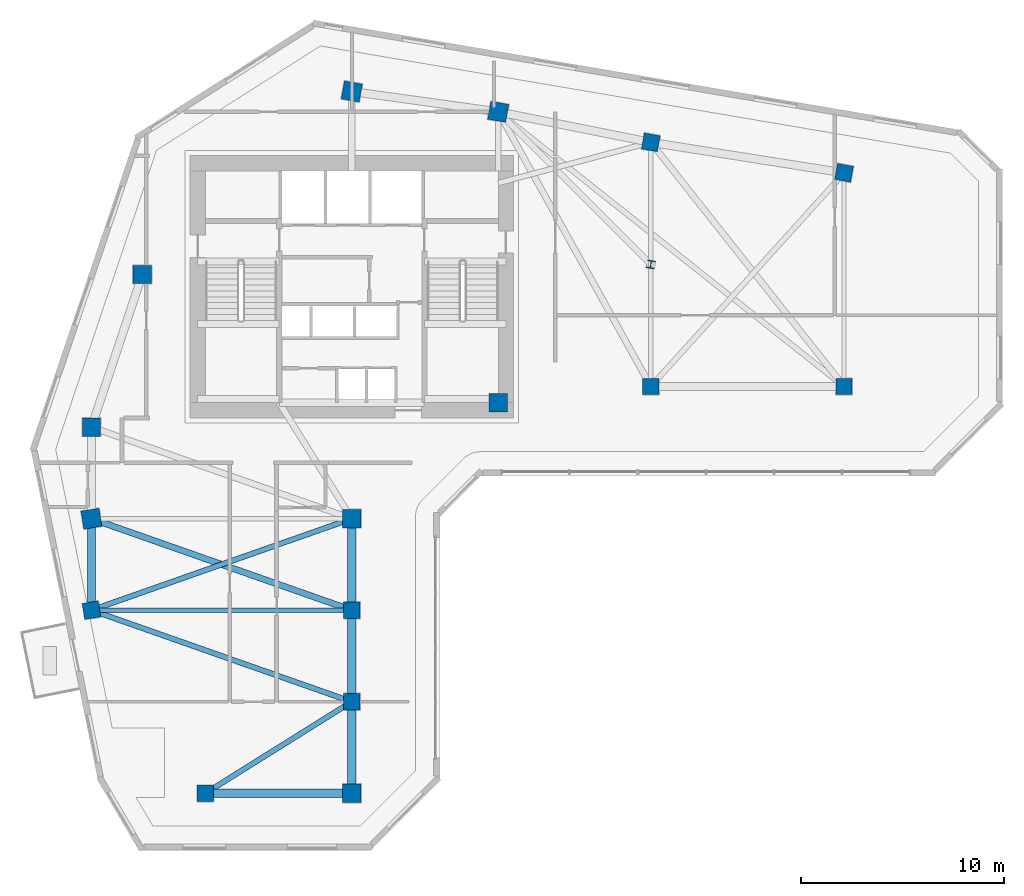
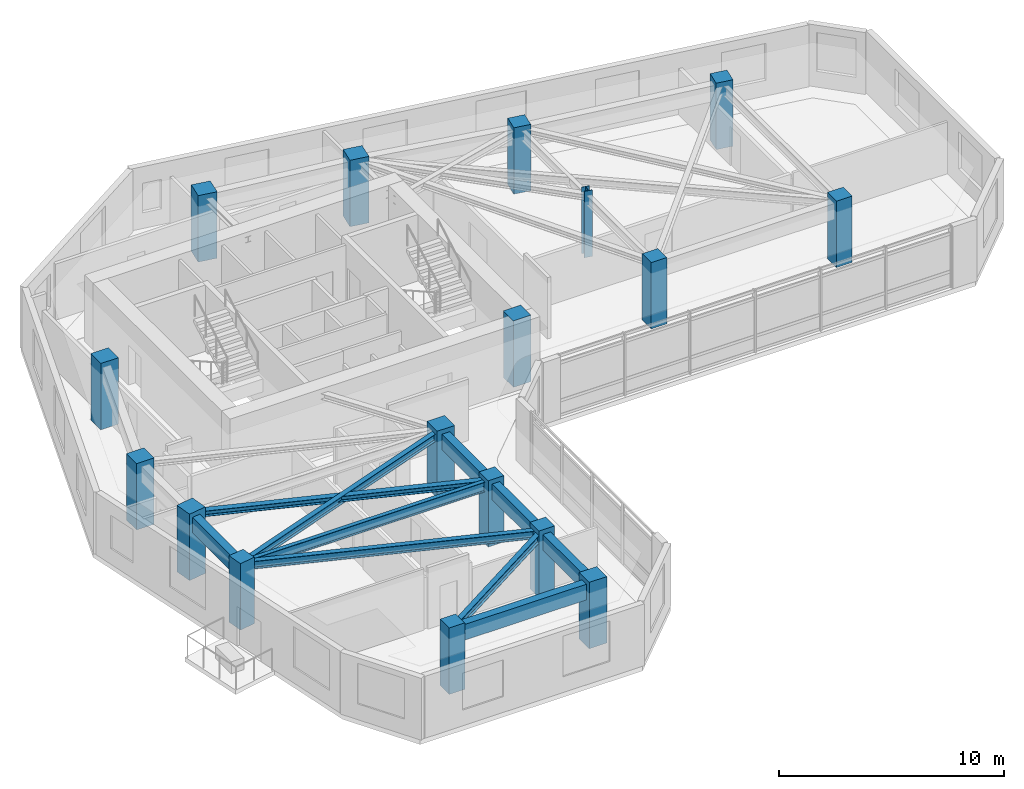
# One storey, part 1 of 10: 17 columns, 10 beams.
"""IFC4 building model written with IfcOpenShell, lengths in metres."""

from ifc_helpers import new_model, si_unit, direction, frame, origin, origin_2d, place, context, subcontext, project, spatial, rectangle, i_section, extrude, source, transform, mapped, material, material_profile, profile_set, type_object, element, save


model = new_model("IFC4")

# Units and contexts
model_context = context("Model", 3, precision=1e-05, world=origin(), true_north=direction((0.0, 1.0)))
body_context = subcontext(model_context, "Body", "Model", "MODEL_VIEW")
ifc_project = project(units=[si_unit("LENGTHUNIT", "METRE"), si_unit("AREAUNIT", "SQUARE_METRE"), si_unit("VOLUMEUNIT", "CUBIC_METRE"), si_unit("PLANEANGLEUNIT", "RADIAN"), si_unit("MASSUNIT", "GRAM", prefix="KILO")], contexts=[model_context])

# Site, building, storey
site_placement = place(None, origin())
site = spatial("IfcSite", under=ifc_project, at=site_placement, CompositionType="ELEMENT")
building_placement = place(site_placement, origin())
building = spatial("IfcBuilding", under=site, at=building_placement, Name="Calvemar Wedge Station Tower", CompositionType="ELEMENT")
storey_placement = place(building_placement, frame((0.0, 0.0, 164.60009765625)))
storey = spatial("IfcBuildingStorey", under=building, at=storey_placement, Name="L41", CompositionType="ELEMENT", Elevation=164.60009765625)

# Columns
ifc_material_1 = material(Name="Concrete C60", Category="concrete")
ifc_material_profile_1 = material_profile(ifc_material_1, rectangle(XDim=0.89990234375, YDim=0.89990234375, at=origin_2d()), Name="RC900x900")
ifc_profile_set_1 = profile_set([ifc_material_profile_1], Name="Concrete C60")
column_type_1 = type_object("IfcColumnType", Name="COL-C5-900", PredefinedType="COLUMN", material=ifc_profile_set_1)
shared_shape_1 = source(origin(), body_context, "Body", "SweptSolid", [
    extrude(rectangle(XDim=0.89990234375, YDim=0.89990234375, at=origin_2d()), origin(), (0.0, 0.0, 1.0), 3.599853515625),
])
for number, where, z_axis, x_axis, name in (
    (1, (11.0, 33.0, 0.0), (0.0, 0.0, 1.0), (1.0, 0.0, 0.0), "Storey L41 Column T-NW1"),
    (2, (13.5, 40.5, 0.0), (0.0, 0.0, 1.0), (1.0, 0.0, 0.0), "Storey L41 Column T-NW2"),
    (3, (23.800048828125, 49.5, 0.0), (0.0, 0.0, 1.0), (0.984195607969, -0.17708474032, 0.0), "Storey L41 Column T-N1"),
    (4, (31.0, 48.5, 0.0), (0.0, 0.0, 1.0), (0.984195607969, -0.17708474032, 0.0), "Storey L41 Column T-N2"),
    (5, (31.0, 34.199951171875, 0.0), (0.0, 0.0, 1.0), (1.0, 0.0, 0.0), "Storey L41 Column T-NL1"),
    (6, (11.0, 28.5, 0.0), (0.0, 0.0, 1.0), (0.158158067254, -0.987413806751, 0.0), "Storey L41 Column T-SW1"),
    (7, (23.800048828125, 28.5, 0.0), (0.0, 0.0, 1.0), (1.0, 0.0, 0.0), "Storey L41 Column T-SE1"),
    (8, (23.800048828125, 15.0, 0.0), (0.0, 0.0, 1.0), (1.0, 0.0, 0.0), "Storey L41 Column T-SE4"),
):
    element("IfcColumn", number, at=place(storey_placement, frame(where, z_axis=z_axis, x_axis=x_axis)), inside=storey, type_object=column_type_1, Name=name, PredefinedType="COLUMN", context=body_context, shape_type="MappedRepresentation", body=[
        mapped(shared_shape_1, transform((0.0, 0.0, 0.0), scale=1.0)),
    ])
ifc_material_2 = material(Name="Concrete C50", Category="concrete")
ifc_material_profile_2 = material_profile(ifc_material_2, rectangle(XDim=0.800048828125, YDim=0.800048828125, at=origin_2d()), Name="RC800x800")
ifc_profile_set_2 = profile_set([ifc_material_profile_2], Name="Concrete C50")
column_type_2 = type_object("IfcColumnType", Name="COL-C6-800", PredefinedType="COLUMN", material=ifc_profile_set_2)
shared_shape_2 = source(origin(), body_context, "Body", "SweptSolid", [
    extrude(rectangle(XDim=0.800048828125, YDim=0.800048828125, at=origin_2d()), origin(), (0.0, 0.0, 1.0), 3.599853515625),
])
for number, where, z_axis, x_axis, name in (
    (9, (38.5, 47.0, 0.0), (0.0, 0.0, 1.0), (0.984195607969, -0.17708474032, 0.0), "Storey L41 Column T-NU3"),
    (10, (48.0, 45.5, 0.0), (0.0, 0.0, 1.0), (0.984195607969, -0.17708474032, 0.0), "Storey L41 Column T-NU4"),
    (11, (38.5, 35.0, 0.0), (0.0, 0.0, 1.0), (1.0, 0.0, 0.0), "Storey L41 Column T-NL2"),
    (12, (48.0, 35.0, 0.0), (0.0, 0.0, 1.0), (1.0, 0.0, 0.0), "Storey L41 Column T-NL3"),
    (13, (11.0, 24.0, 0.0), (0.0, 0.0, 1.0), (0.158158067254, -0.987413806751, 0.0), "Storey L41 Column T-SW2"),
    (14, (23.800048828125, 24.0, 0.0), (0.0, 0.0, 1.0), (1.0, 0.0, 0.0), "Storey L41 Column T-SE2"),
    (15, (23.800048828125, 19.5, 0.0), (0.0, 0.0, 1.0), (1.0, 0.0, 0.0), "Storey L41 Column T-SE3"),
    (16, (16.60009765625, 15.0, 0.0), (0.0, 0.0, 1.0), (1.0, 0.0, 0.0), "Storey L41 Column T-SM1"),
):
    element("IfcColumn", number, at=place(storey_placement, frame(where, z_axis=z_axis, x_axis=x_axis)), inside=storey, type_object=column_type_2, Name=name, PredefinedType="COLUMN", context=body_context, shape_type="MappedRepresentation", body=[
        mapped(shared_shape_2, transform((0.0, 0.0, 0.0), scale=1.0)),
    ])
ifc_material_3 = material(Name="Structural steel ASTM A572 Grade 50", Category="steel")
ifc_material_profile_3 = material_profile(ifc_material_3, i_section(OverallWidth=0.3740234375, OverallDepth=0.3720703125, WebThickness=0.016357421875, FlangeThickness=0.026123046875, FilletRadius=0.014892578125, at=origin_2d()), Name="W360x196")
ifc_profile_set_3 = profile_set([ifc_material_profile_3], Name="Structural steel ASTM A572 Grade 50")
column_type_3 = type_object("IfcColumnType", Name="COL-STL-W360", PredefinedType="COLUMN", material=ifc_profile_set_3)
shared_shape_3 = source(origin(), body_context, "Body", "SweptSolid", [
    extrude(i_section(OverallWidth=0.3740234375, OverallDepth=0.3720703125, WebThickness=0.016357421875, FlangeThickness=0.026123046875, FilletRadius=0.014892578125, at=origin_2d()), origin(), (0.0, 0.0, 1.0), 3.599853515625),
])
column_placement = place(storey_placement, frame((38.5, 41.0, 0.0), z_axis=(0.0, 0.0, 1.0), x_axis=(0.984195607969, -0.17708474032, 0.0)))
element("IfcColumn", 17, at=column_placement, inside=storey, type_object=column_type_3, Name="Storey L41 Column T-NTIP-B", PredefinedType="COLUMN", context=body_context, shape_type="MappedRepresentation", body=[
    mapped(shared_shape_3, transform((0.0, 0.0, 0.0), scale=1.0)),
])

# Beams
ifc_material_profile_4 = material_profile(ifc_material_1, rectangle(XDim=0.39990234375, YDim=0.85009765625, at=origin_2d()), Name="RC400x850")
ifc_profile_set_4 = profile_set([ifc_material_profile_4], Name="Concrete C60")
beam_type_1 = type_object("IfcBeamType", Name="BM-SP1-850", PredefinedType="SPANDREL", material=ifc_profile_set_4)
shared_shape_4 = source(origin(), body_context, "Body", "SweptSolid", [
    extrude(rectangle(XDim=0.39990234375, YDim=0.85009765625, at=origin_2d()), origin(), (0.0, 0.0, 1.0), 4.5),
])
for number, where, z_axis, x_axis, name in (
    (18, (11.0, 28.5, 2.9248046875), (0.0, -1.0, 0.0), (1.0, 0.0, 0.0), "Storey L41 Spandrel T-SW1-T-SW2"),
    (19, (23.800048828125, 28.5, 2.9248046875), (0.0, -1.0, 0.0), (1.0, 0.0, 0.0), "Storey L41 Spandrel T-SE1-T-SE2"),
    (20, (23.800048828125, 24.0, 2.9248046875), (0.0, -1.0, 0.0), (1.0, 0.0, 0.0), "Storey L41 Spandrel T-SE2-T-SE3"),
    (21, (23.800048828125, 19.5, 2.9248046875), (0.0, -1.0, 0.0), (1.0, 0.0, 0.0), "Storey L41 Spandrel T-SE3-T-SE4"),
):
    element("IfcBeam", number, at=place(storey_placement, frame(where, z_axis=z_axis, x_axis=x_axis)), inside=storey, type_object=beam_type_1, Name=name, PredefinedType="SPANDREL", context=body_context, shape_type="MappedRepresentation", body=[
        mapped(shared_shape_4, transform((0.0, 0.0, 0.0), scale=1.0)),
    ])
shared_shape_5 = source(origin(), body_context, "Body", "SweptSolid", [
    extrude(rectangle(XDim=0.39990234375, YDim=0.85009765625, at=origin_2d()), origin(), (0.0, 0.0, 1.0), 7.199951171875),
])
beam_1_placement = place(storey_placement, frame((16.60009765625, 15.0, 2.9248046875), z_axis=(1.0, 0.0, 0.0), x_axis=(0.0, 1.0, 0.0)))
element("IfcBeam", 22, at=beam_1_placement, inside=storey, type_object=beam_type_1, Name="Storey L41 Spandrel T-SM1-T-SE4", PredefinedType="SPANDREL", context=body_context, shape_type="MappedRepresentation", body=[
    mapped(shared_shape_5, transform((0.0, 0.0, 0.0), scale=1.0)),
])
ifc_material_profile_5 = material_profile(ifc_material_3, i_section(OverallWidth=0.304931640625, OverallDepth=0.30810546875, WebThickness=0.010009765625, FlangeThickness=0.015380859375, FilletRadius=0.014892578125, at=origin_2d()), Name="W310x97")
ifc_profile_set_5 = profile_set([ifc_material_profile_5], Name="Structural steel ASTM A572 Grade 50")
beam_type_2 = type_object("IfcBeamType", Name="BM-J6-W310", PredefinedType="JOIST", material=ifc_profile_set_5)
shared_shape_6 = source(origin(), body_context, "Body", "SweptSolid", [
    extrude(i_section(OverallWidth=0.304931640625, OverallDepth=0.30810546875, WebThickness=0.010009765625, FlangeThickness=0.015380859375, FilletRadius=0.014892578125, at=origin_2d()), origin(), (0.0, 0.0, 1.0), 13.568115234375),
])
beam_2_placement = place(storey_placement, frame((11.0, 28.5, 3.19580078125), z_axis=(0.943398221169, -0.331662171939, 0.0), x_axis=(0.331662171939, 0.943398221169, 0.0)))
element("IfcBeam", 23, at=beam_2_placement, inside=storey, type_object=beam_type_2, Name="Storey L41 Floor Beam T-SW1-T-SE2", PredefinedType="JOIST", context=body_context, shape_type="MappedRepresentation", body=[
    mapped(shared_shape_6, transform((0.0, 0.0, 0.0), scale=1.0)),
])
ifc_material_profile_6 = material_profile(ifc_material_3, i_section(OverallWidth=0.260986328125, OverallDepth=0.419921875, WebThickness=0.01171875, FlangeThickness=0.019287109375, FilletRadius=0.012939453125, at=origin_2d()), Name="W410x114")
ifc_profile_set_6 = profile_set([ifc_material_profile_6], Name="Structural steel ASTM A572 Grade 50")
beam_type_3 = type_object("IfcBeamType", Name="BM-J2-W410H", PredefinedType="JOIST", material=ifc_profile_set_6)
shared_shape_7 = source(origin(), body_context, "Body", "SweptSolid", [
    extrude(i_section(OverallWidth=0.260986328125, OverallDepth=0.419921875, WebThickness=0.01171875, FlangeThickness=0.019287109375, FilletRadius=0.012939453125, at=origin_2d()), origin(), (0.0, 0.0, 1.0), 13.568115234375),
])
for number, where, z_axis, x_axis, name in (
    (24, (23.800048828125, 28.5, 3.139892578125), (-0.943398221169, -0.331662171939, 0.0), (0.331662171939, -0.943398221169, 0.0), "Storey L41 Floor Beam T-SE1-T-SW2"),
    (25, (11.0, 24.0, 3.139892578125), (0.943398221169, -0.331662171939, 0.0), (0.331662171939, 0.943398221169, 0.0), "Storey L41 Floor Beam T-SW2-T-SE3"),
):
    element("IfcBeam", number, at=place(storey_placement, frame(where, z_axis=z_axis, x_axis=x_axis)), inside=storey, type_object=beam_type_3, Name=name, PredefinedType="JOIST", context=body_context, shape_type="MappedRepresentation", body=[
        mapped(shared_shape_7, transform((0.0, 0.0, 0.0), scale=1.0)),
    ])
shared_shape_8 = source(origin(), body_context, "Body", "SweptSolid", [
    extrude(i_section(OverallWidth=0.260986328125, OverallDepth=0.419921875, WebThickness=0.01171875, FlangeThickness=0.019287109375, FilletRadius=0.012939453125, at=origin_2d()), origin(), (0.0, 0.0, 1.0), 8.490478515625),
])
beam_3_placement = place(storey_placement, frame((23.800048828125, 19.5, 3.139892578125), z_axis=(-0.847996688584, -0.530001524668, 0.0), x_axis=(0.530001524668, -0.847996688584, 0.0)))
element("IfcBeam", 26, at=beam_3_placement, inside=storey, type_object=beam_type_3, Name="Storey L41 Floor Beam T-SE3-T-SM1", PredefinedType="JOIST", context=body_context, shape_type="MappedRepresentation", body=[
    mapped(shared_shape_8, transform((0.0, 0.0, 0.0), scale=1.0)),
])
ifc_material_profile_7 = material_profile(ifc_material_3, i_section(OverallWidth=0.2109375, OverallDepth=0.5390625, WebThickness=0.01171875, FlangeThickness=0.018798828125, FilletRadius=0.012939453125, at=origin_2d()), Name="W530x109")
ifc_profile_set_7 = profile_set([ifc_material_profile_7], Name="Structural steel ASTM A572 Grade 50")
beam_type_4 = type_object("IfcBeamType", Name="BM-SB4-W530", PredefinedType="BEAM", material=ifc_profile_set_7)
shared_shape_9 = source(origin(), body_context, "Body", "SweptSolid", [
    extrude(i_section(OverallWidth=0.2109375, OverallDepth=0.5390625, WebThickness=0.01171875, FlangeThickness=0.018798828125, FilletRadius=0.012939453125, at=origin_2d()), origin(), (0.0, 0.0, 1.0), 12.800048828125),
])
beam_4_placement = place(storey_placement, frame((11.0, 24.0, 3.080322265625), z_axis=(1.0, 0.0, 0.0), x_axis=(0.0, 1.0, 0.0)))
element("IfcBeam", 27, at=beam_4_placement, inside=storey, type_object=beam_type_4, Name="Storey L41 Floor Beam T-SW2-T-SE2", PredefinedType="BEAM", context=body_context, shape_type="MappedRepresentation", body=[
    mapped(shared_shape_9, transform((0.0, 0.0, 0.0), scale=1.0)),
])

save(model, "model.ifc")
